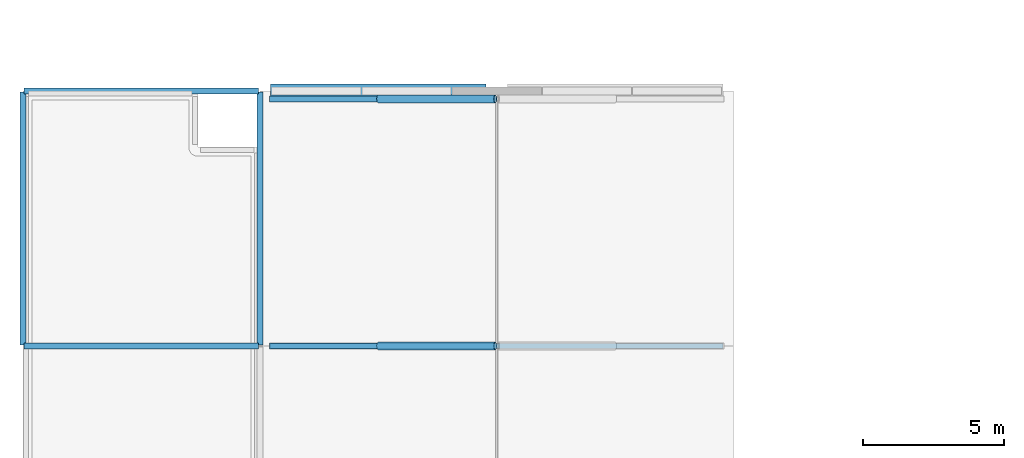
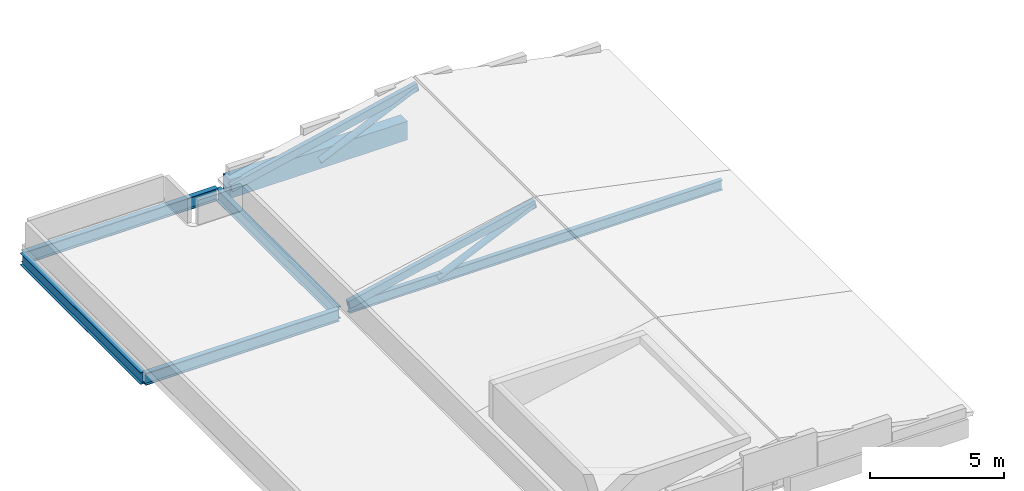
# One storey, part 4 of 28: 5 beams, 5 members.
"""IFC4 building model written with IfcOpenShell, lengths in metres."""

from ifc_helpers import new_model, si_unit, direction, frame, origin, origin_2d, place, context, subcontext, project, spatial, rectangle, hollow_rectangle, hollow_circle, i_section, extrude, material, material_profile, profile_set, type_object, element, save


model = new_model("IFC4")

# Units and contexts
model_context = context("Model", 3, precision=1e-05, world=origin(), true_north=direction((0.0, 1.0)))
body_context = subcontext(model_context, "Body", "Model", "MODEL_VIEW")
ifc_project = project(units=[si_unit("LENGTHUNIT", "METRE"), si_unit("AREAUNIT", "SQUARE_METRE"), si_unit("VOLUMEUNIT", "CUBIC_METRE"), si_unit("PLANEANGLEUNIT", "RADIAN"), si_unit("MASSUNIT", "GRAM", prefix="KILO")], contexts=[model_context])

# Site, building, storey
site_placement = place(None, origin())
site = spatial("IfcSite", under=ifc_project, at=site_placement, CompositionType="ELEMENT")
building_placement = place(site_placement, origin())
building = spatial("IfcBuilding", under=site, at=building_placement, Name="Khurvash Pelagic Aquarium", CompositionType="ELEMENT")
storey_placement = place(building_placement, frame((0.0, 0.0, 20.10009765625)))
storey = spatial("IfcBuildingStorey", under=building, at=storey_placement, Name="L04", CompositionType="ELEMENT", Elevation=20.10009765625)

# Beams
ifc_material_1 = material(Name="Steel ASTM A992 Grade 50", Category="steel")
ifc_material_profile_1 = material_profile(ifc_material_1, i_section(OverallWidth=0.214111328125, OverallDepth=0.549072265625, WebThickness=0.0146484375, FlangeThickness=0.023681640625, at=origin_2d()), Name="W21X93")
ifc_profile_set_1 = profile_set([ifc_material_profile_1], Name="Steel ASTM A992 Grade 50")
beam_type_1 = type_object("IfcBeamType", Name="BM-11", PredefinedType="BEAM", material=ifc_profile_set_1)
for number, where, z_axis, x_axis, name in (
    (1, (8.43994140625, 84.050048828125, -0.594482421875), (1.0, 0.0, 0.0), (0.0, 1.0, 0.0), "L04 Roof Girder BM-11 01250"),
    (2, (8.43994140625, 93.10009765625, -0.594482421875), (1.0, 0.0, 0.0), (0.0, 1.0, 0.0), "L04 Roof Girder BM-11 01251"),
):
    element("IfcBeam", number, at=place(storey_placement, frame(where, z_axis=z_axis, x_axis=x_axis)), inside=storey, type_object=beam_type_1, Name=name, PredefinedType="BEAM", context=body_context, shape_type="SweptSolid", body=[
        extrude(i_section(OverallWidth=0.214111328125, OverallDepth=0.549072265625, WebThickness=0.0146484375, FlangeThickness=0.023681640625, at=origin_2d()), origin(), (0.0, 0.0, 1.0), 8.320068359375),
    ])
for number, where, z_axis, x_axis, name in (
    (3, (8.39990234375, 84.090087890625, -0.594482421875), (0.0, 1.0, 0.0), (-1.0, 0.0, 0.0), "L04 Roof Girder BM-11 01252"),
    (4, (16.800048828125, 84.090087890625, -0.594482421875), (0.0, 1.0, 0.0), (-1.0, 0.0, 0.0), "L04 Roof Girder BM-11 01255"),
):
    element("IfcBeam", number, at=place(storey_placement, frame(where, z_axis=z_axis, x_axis=x_axis)), inside=storey, type_object=beam_type_1, Name=name, PredefinedType="BEAM", context=body_context, shape_type="SweptSolid", body=[
        extrude(i_section(OverallWidth=0.214111328125, OverallDepth=0.549072265625, WebThickness=0.0146484375, FlangeThickness=0.023681640625, at=origin_2d()), origin(), (0.0, 0.0, 1.0), 8.969970703125),
    ])
ifc_material_2 = material(Name="Concrete C40/50", Category="concrete")
ifc_material_profile_2 = material_profile(ifc_material_2, rectangle(XDim=0.5, YDim=0.85009765625, at=origin_2d()), Name="RC500X850")
ifc_profile_set_2 = profile_set([ifc_material_profile_2], Name="Concrete C40/50")
beam_type_2 = type_object("IfcBeamType", Name="SEB-03", PredefinedType="SPANDREL", material=ifc_profile_set_2)
beam_placement = place(storey_placement, frame((17.179931640625, 93.10009765625, -0.425048828125), z_axis=(1.0, 0.0, 0.0), x_axis=(0.0, 1.0, 0.0)))
element("IfcBeam", 5, at=beam_placement, inside=storey, type_object=beam_type_2, Name="L04 Education North Gable Spandrel Beam SEB-03", PredefinedType="SPANDREL", context=body_context, shape_type="SweptSolid", body=[
    extrude(rectangle(XDim=0.5, YDim=0.85009765625, at=origin_2d()), origin(), (0.0, 0.0, 1.0), 7.64013671875),
])

# Members
ifc_material_3 = material(Name="Steel S355J2", Category="steel")
ifc_material_profile_3 = material_profile(ifc_material_3, hollow_rectangle(XDim=0.199951171875, YDim=0.35009765625, WallThickness=0.012451171875, at=origin_2d()), Name="RHS350X200X12")
ifc_profile_set_3 = profile_set([ifc_material_profile_3], Name="Steel S355J2")
member_type_1 = type_object("IfcMemberType", Name="TC-03", PredefinedType="CHORD", material=ifc_profile_set_3)
for number, where, z_axis, x_axis, name in (
    (6, (17.179931640625, 84.050048828125, -0.300048828125), (0.97572570839, 0.0, 0.21899621455), (0.0, 1.0, 0.0), "L04 Education Wing Truss Pitched Top Chord West"),
    (7, (17.179931640625, 92.81005859375, -0.300048828125), (0.97572570839, 0.0, 0.21899621455), (0.0, 1.0, 0.0), "L04 Education Wing Truss Pitched Top Chord West"),
):
    element("IfcMember", number, at=place(storey_placement, frame(where, z_axis=z_axis, x_axis=x_axis)), inside=storey, type_object=member_type_1, Name=name, PredefinedType="CHORD", context=body_context, shape_type="SweptSolid", body=[
        extrude(hollow_rectangle(XDim=0.199951171875, YDim=0.35009765625, WallThickness=0.012451171875, at=origin_2d()), origin(), (0.0, 0.0, 1.0), 8.219482421875),
    ])
ifc_material_profile_4 = material_profile(ifc_material_3, i_section(OverallWidth=0.18994140625, OverallDepth=0.449951171875, WebThickness=0.009521484375, FlangeThickness=0.0146484375, at=origin_2d()), Name="IPE450")
ifc_profile_set_4 = profile_set([ifc_material_profile_4], Name="Steel S355J2")
member_type_2 = type_object("IfcMemberType", Name="TC-04", PredefinedType="CHORD", material=ifc_profile_set_4)
member_placement = place(storey_placement, frame((17.179931640625, 84.050048828125, -0.4501953125), z_axis=(1.0, 0.0, 0.0), x_axis=(0.0, 1.0, 0.0)))
element("IfcMember", 8, at=member_placement, inside=storey, type_object=member_type_2, Name="L04 Education Wing Truss Bottom Chord", PredefinedType="CHORD", context=body_context, shape_type="SweptSolid", body=[
    extrude(i_section(OverallWidth=0.18994140625, OverallDepth=0.449951171875, WebThickness=0.009521484375, FlangeThickness=0.0146484375, at=origin_2d()), origin(), (0.0, 0.0, 1.0), 16.0400390625),
])
ifc_material_profile_5 = material_profile(ifc_material_3, hollow_circle(Radius=0.136474609375, WallThickness=0.012451171875, at=origin_2d()), Name="CHS273X12")
ifc_profile_set_5 = profile_set([ifc_material_profile_5], Name="Steel S355J2")
member_type_3 = type_object("IfcMemberType", Name="TD-03", PredefinedType="BRACE", material=ifc_profile_set_5)
for number, where, z_axis, x_axis, name in (
    (9, (21.0, 84.050048828125, -0.420166015625), (0.911702594731, 0.0, 0.410850798661), (0.0, 1.0, 0.0), "L04 Education Wing Truss Web Diagonal"),
    (10, (21.0, 92.81005859375, -0.420166015625), (0.911702594731, 0.0, 0.410850798661), (0.0, 1.0, 0.0), "L04 Education Wing Truss Web Diagonal"),
):
    element("IfcMember", number, at=place(storey_placement, frame(where, z_axis=z_axis, x_axis=x_axis)), inside=storey, type_object=member_type_3, Name=name, PredefinedType="BRACE", context=body_context, shape_type="SweptSolid", body=[
        extrude(hollow_circle(Radius=0.136474609375, WallThickness=0.012451171875, at=origin_2d()), origin(), (0.0, 0.0, 1.0), 4.5517578125),
    ])

save(model, "model.ifc")
